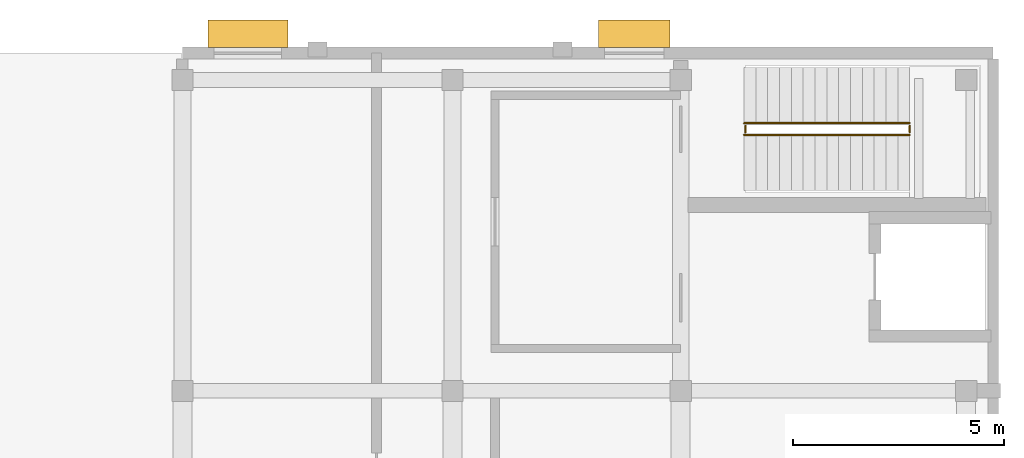
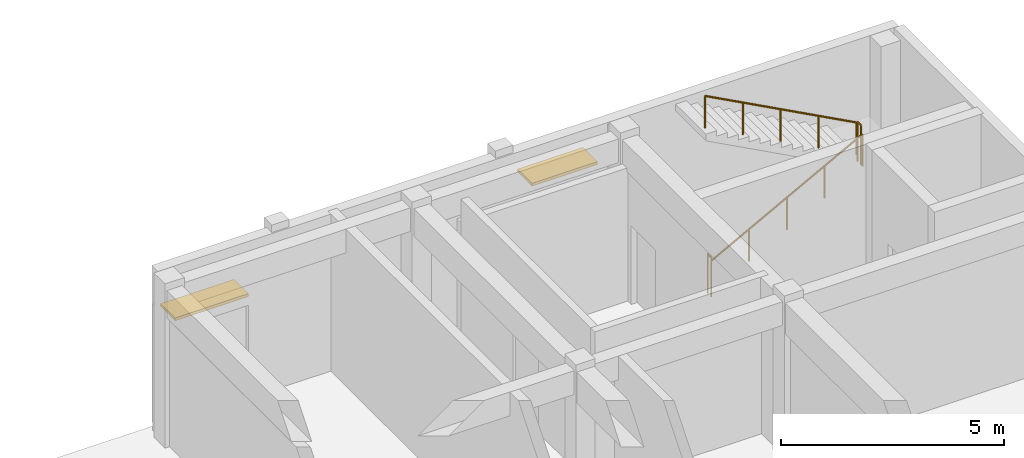
# One storey, part 11 of 11: 4 railings, 2 shading devices.
"""IFC4 building model written with IfcOpenShell, lengths in metres."""

from ifc_helpers import new_model, si_unit, direction, frame, origin, origin_2d, place, context, subcontext, project, spatial, rectangle, circle, extrude, material, type_object, element, save


model = new_model("IFC4")

# Units and contexts
model_context = context("Model", 3, precision=1e-05, world=origin(), true_north=direction((0.0, 1.0)))
body_context = subcontext(model_context, "Body", "Model", "MODEL_VIEW")
ifc_project = project(units=[si_unit("LENGTHUNIT", "METRE"), si_unit("AREAUNIT", "SQUARE_METRE"), si_unit("VOLUMEUNIT", "CUBIC_METRE"), si_unit("PLANEANGLEUNIT", "RADIAN"), si_unit("MASSUNIT", "GRAM", prefix="KILO")], contexts=[model_context])

# Site, building, storey
site_placement = place(None, origin())
site = spatial("IfcSite", under=ifc_project, at=site_placement, CompositionType="ELEMENT")
building_placement = place(site_placement, origin())
building = spatial("IfcBuilding", under=site, at=building_placement, Name="Cinchona Park Media Centre", CompositionType="ELEMENT")
storey_placement = place(building_placement, frame((0.0, 0.0, 24.89990234375)))
storey = spatial("IfcBuildingStorey", under=building, at=storey_placement, Name="L05", CompositionType="ELEMENT", Elevation=24.89990234375)

# Railings
ifc_material_1 = material(Name="Painted Steel Stairwell Guardrail", Category="steel")
railing_type_1 = type_object("IfcRailingType", Name="RAILING-GR02", PredefinedType="GUARDRAIL", material=ifc_material_1)
for number, where, name in (
    (1, (166.135009765625, 116.1201171875, 0.0), "Stairwell Guardrail GR02 ST2 L05"),
    (2, (170.02001953125, 116.1201171875, 2.25), "Half-Landing Guardrail GR02 ST2 L05"),
):
    element("IfcRailing", number, at=place(storey_placement, frame(where)), inside=storey, type_object=railing_type_1, Name=name, PredefinedType="GUARDRAIL", context=body_context, shape_type="SweptSolid", body=[
        extrude(circle(Radius=0.02392578125, at=origin_2d()), frame((0.0, 0.0, 1.076171875), z_axis=(0.0, 1.0, 0.0), x_axis=(-1.0, 0.0, 0.0)), (0.0, 0.0, 1.0), 0.159912109375),
        extrude(circle(Radius=0.02099609375, at=origin_2d()), origin(), (0.0, 0.0, 1.0), 1.052001953125),
        extrude(circle(Radius=0.02099609375, at=origin_2d()), frame((0.0, 0.159912109375, 0.0)), (0.0, 0.0, 1.0), 1.052001953125),
    ])
ifc_material_2 = material(Name="Brushed Stainless Steel Handrail", Category="steel")
railing_type_2 = type_object("IfcRailingType", Name="RAILING-HR01", PredefinedType="HANDRAIL", material=ifc_material_2)
railing_1_placement = place(storey_placement, frame((166.10009765625, 116.06005859375, 0.150146484375)))
element("IfcRailing", 3, at=railing_1_placement, inside=storey, type_object=railing_type_2, Name="Stair Handrail HR01 ST2 L05 F1", PredefinedType="HANDRAIL", context=body_context, shape_type="SweptSolid", body=[
    extrude(circle(Radius=0.02392578125, at=origin_2d()), frame((0.0, 0.0, 0.8759765625), z_axis=(0.881489763865, 0.0, 0.472203130232), x_axis=(0.0, 1.0, 0.0)), (0.0, 0.0, 1.0), 4.447021484375),
    extrude(circle(Radius=0.02099609375, at=origin_2d()), origin(), (0.0, 0.0, 1.0), 0.851806640625),
    extrude(circle(Radius=0.02099609375, at=origin_2d()), frame((0.97998046875, 0.0, 0.52490234375)), (0.0, 0.0, 1.0), 0.851806640625),
    extrude(circle(Radius=0.02099609375, at=origin_2d()), frame((1.9599609375, 0.0, 1.0498046875)), (0.0, 0.0, 1.0), 0.851806640625),
    extrude(circle(Radius=0.02099609375, at=origin_2d()), frame((2.93994140625, 0.0, 1.574951171875)), (0.0, 0.0, 1.0), 0.851806640625),
    extrude(circle(Radius=0.02099609375, at=origin_2d()), frame((3.919921875, 0.0, 2.099853515625)), (0.0, 0.0, 1.0), 0.851806640625),
])
railing_2_placement = place(storey_placement, frame((170.02001953125, 116.340087890625, 2.400146484375)))
element("IfcRailing", 4, at=railing_2_placement, inside=storey, type_object=railing_type_2, Name="Stair Handrail HR01 ST2 L05 F2", PredefinedType="HANDRAIL", context=body_context, shape_type="SweptSolid", body=[
    extrude(circle(Radius=0.02392578125, at=origin_2d()), frame((0.0, 0.0, 0.8759765625), z_axis=(-0.881489763865, 0.0, 0.472203130232), x_axis=(0.0, -1.0, 0.0)), (0.0, 0.0, 1.0), 4.447021484375),
    extrude(circle(Radius=0.02099609375, at=origin_2d()), origin(), (0.0, 0.0, 1.0), 0.851806640625),
    extrude(circle(Radius=0.02099609375, at=origin_2d()), frame((-0.97998046875, 0.0, 0.52490234375)), (0.0, 0.0, 1.0), 0.851806640625),
    extrude(circle(Radius=0.02099609375, at=origin_2d()), frame((-1.9599609375, 0.0, 1.0498046875)), (0.0, 0.0, 1.0), 0.851806640625),
    extrude(circle(Radius=0.02099609375, at=origin_2d()), frame((-2.93994140625, 0.0, 1.574951171875)), (0.0, 0.0, 1.0), 0.851806640625),
    extrude(circle(Radius=0.02099609375, at=origin_2d()), frame((-3.919921875, 0.0, 2.099853515625)), (0.0, 0.0, 1.0), 0.851806640625),
])

# Shading devices
ifc_material_3 = material(Name="Anodised Aluminium Horizontal Brise-Soleil", Category="aluminium")
shading_device_type = type_object("IfcShadingDeviceType", Name="SHADING-SUN01", PredefinedType="AWNING", material=ifc_material_3)
shading_device_1_placement = place(storey_placement, frame((154.35009765625, 118.45703125, 2.570068359375), z_axis=(0.0, 0.0, 1.0), x_axis=(1.0, 0.0, 0.0)))
element("IfcShadingDevice", 5, at=shading_device_1_placement, inside=storey, type_object=shading_device_type, Name="Horizontal Sunshade SHD02 L05", PredefinedType="AWNING", context=body_context, shape_type="SweptSolid", body=[
    extrude(rectangle(XDim=1.89990234375, YDim=0.64990234375, at=origin_2d()), origin(), (0.0, 0.0, 1.0), 0.080078125),
])
shading_device_2_placement = place(storey_placement, frame((163.5, 118.45703125, 3.02001953125), z_axis=(0.0, 0.0, 1.0), x_axis=(1.0, 0.0, 0.0)))
element("IfcShadingDevice", 6, at=shading_device_2_placement, inside=storey, type_object=shading_device_type, Name="Horizontal Sunshade SHD02 L05", PredefinedType="AWNING", context=body_context, shape_type="SweptSolid", body=[
    extrude(rectangle(XDim=1.699951171875, YDim=0.64990234375, at=origin_2d()), origin(), (0.0, 0.0, 1.0), 0.080078125),
])

save(model, "model.ifc")
